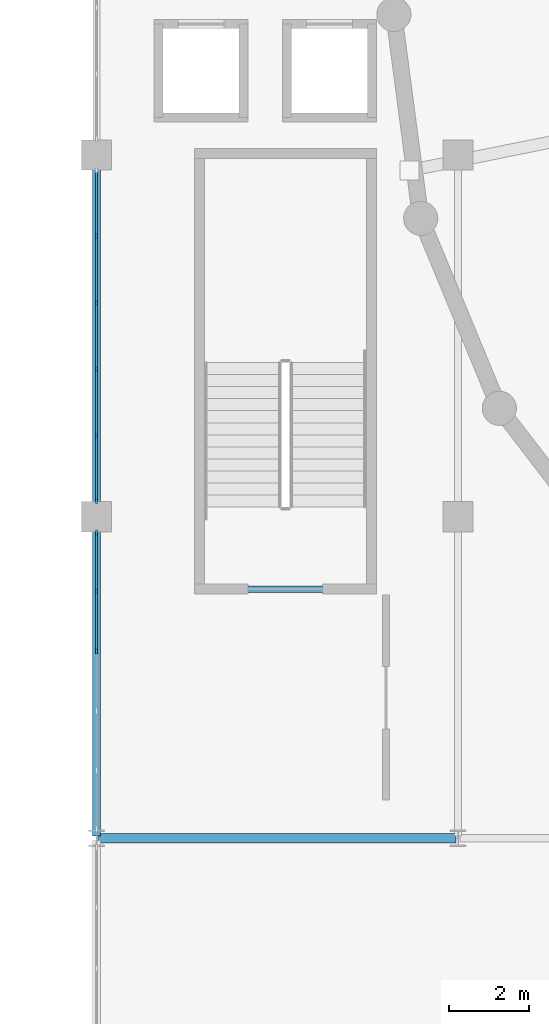
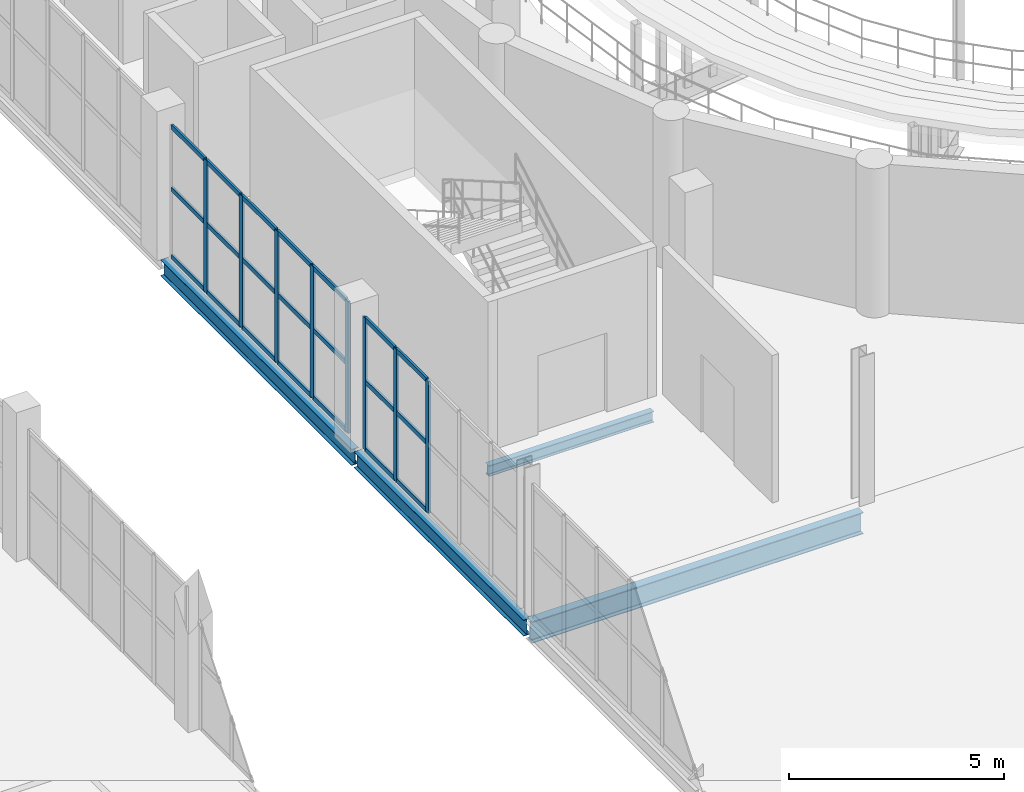
# One storey, part 24 of 85: 29 members, 4 beams, 2 elements without a shape of their own.
"""IFC4 building model written with IfcOpenShell, lengths in metres."""

from ifc_helpers import new_model, si_unit, direction, frame, origin, origin_2d, place, context, subcontext, project, spatial, rectangle, i_section, extrude, material, layer, layer_set, material_profile, profile_set, type_object, element, aggregate, save


model = new_model("IFC4")

# Units and contexts
model_context = context("Model", 3, precision=1e-05, world=origin(), true_north=direction((0.0, 1.0)))
body_context = subcontext(model_context, "Body", "Model", "MODEL_VIEW")
ifc_project = project(units=[si_unit("LENGTHUNIT", "METRE"), si_unit("AREAUNIT", "SQUARE_METRE"), si_unit("VOLUMEUNIT", "CUBIC_METRE"), si_unit("PLANEANGLEUNIT", "RADIAN"), si_unit("MASSUNIT", "GRAM", prefix="KILO")], contexts=[model_context])

# Site, building, storey
site_placement = place(None, origin())
site = spatial("IfcSite", under=ifc_project, at=site_placement, CompositionType="ELEMENT")
building_placement = place(site_placement, origin())
building = spatial("IfcBuilding", under=site, at=building_placement, Name="Marnock Terrace Opera House", CompositionType="ELEMENT")
storey_placement = place(building_placement, frame((0.0, 0.0, 10.199951171875)))
storey = spatial("IfcBuildingStorey", under=building, at=storey_placement, Name="L02", CompositionType="ELEMENT", Elevation=10.199951171875)

# Beams
ifc_material_1 = material(Name="Steel Grade 350 (AS/NZS 3679.1)", Category="steel")
ifc_material_profile_1 = material_profile(ifc_material_1, i_section(OverallWidth=0.18994140625, OverallDepth=0.45751953125, WebThickness=0.009033203125, FlangeThickness=0.014404296875, FilletRadius=0.011474609375, at=origin_2d()))
ifc_profile_set_1 = profile_set([ifc_material_profile_1], Name="Steel Grade 350 (AS/NZS 3679.1)")
beam_type_1 = type_object("IfcBeamType", Name="BM-GIRD-460B", PredefinedType="BEAM", material=ifc_profile_set_1)
beam_1_placement = place(storey_placement, frame((55.0, 40.050048828125, -0.48876953125), z_axis=(0.0, 1.0, 0.0), x_axis=(-1.0, 0.0, 0.0)))
element("IfcBeam", 1, at=beam_1_placement, inside=storey, type_object=beam_type_1, Name="L02 girder (X=55.0, 40.0..48.0)", PredefinedType="BEAM", context=body_context, shape_type="SweptSolid", body=[
    extrude(i_section(OverallWidth=0.18994140625, OverallDepth=0.45751953125, WebThickness=0.009033203125, FlangeThickness=0.014404296875, FilletRadius=0.011474609375, at=origin_2d()), origin(), (0.0, 0.0, 1.0), 7.89990234375),
])
beam_2_placement = place(storey_placement, frame((55.0, 48.050048828125, -0.48876953125), z_axis=(0.0, 1.0, 0.0), x_axis=(-1.0, 0.0, 0.0)))
element("IfcBeam", 2, at=beam_2_placement, inside=storey, type_object=beam_type_1, Name="L02 girder (X=55.0, 48.0..57.0)", PredefinedType="BEAM", context=body_context, shape_type="SweptSolid", body=[
    extrude(i_section(OverallWidth=0.18994140625, OverallDepth=0.45751953125, WebThickness=0.009033203125, FlangeThickness=0.014404296875, FilletRadius=0.011474609375, at=origin_2d()), origin(), (0.0, 0.0, 1.0), 8.89990234375),
])
ifc_material_profile_2 = material_profile(ifc_material_1, i_section(OverallWidth=0.22900390625, OverallDepth=0.611572265625, WebThickness=0.011962890625, FlangeThickness=0.01953125, FilletRadius=0.013916015625, at=origin_2d()))
ifc_profile_set_2 = profile_set([ifc_material_profile_2], Name="Steel Grade 350 (AS/NZS 3679.1)")
beam_type_2 = type_object("IfcBeamType", Name="BM-GIRD-610A", PredefinedType="BEAM", material=ifc_profile_set_2)
beam_3_placement = place(storey_placement, frame((55.050048828125, 40.0, -0.565673828125), z_axis=(1.0, 0.0, 0.0), x_axis=(0.0, 1.0, 0.0)))
element("IfcBeam", 3, at=beam_3_placement, inside=storey, type_object=beam_type_2, Name="L02 girder (55.0..64.0, Y=40.0)", PredefinedType="BEAM", context=body_context, shape_type="SweptSolid", body=[
    extrude(i_section(OverallWidth=0.22900390625, OverallDepth=0.611572265625, WebThickness=0.011962890625, FlangeThickness=0.01953125, FilletRadius=0.013916015625, at=origin_2d()), origin(), (0.0, 0.0, 1.0), 8.89990234375),
])
ifc_material_profile_3 = material_profile(ifc_material_1, i_section(OverallWidth=0.166015625, OverallDepth=0.30712890625, WebThickness=0.006591796875, FlangeThickness=0.01171875, FilletRadius=0.011474609375, at=origin_2d()))
ifc_profile_set_3 = profile_set([ifc_material_profile_3], Name="Steel Grade 350 (AS/NZS 3679.1)")
beam_type_3 = type_object("IfcBeamType", Name="BM-LINT-310", PredefinedType="LINTEL", material=ifc_profile_set_3)
beam_4_placement = place(storey_placement, frame((57.47998046875, 46.199951171875, -0.60986328125), z_axis=(1.0, 0.0, 0.0), x_axis=(0.0, 1.0, 0.0)))
element("IfcBeam", 4, at=beam_4_placement, inside=storey, type_object=beam_type_3, Name="L01 Core C1 coupling lintel", PredefinedType="LINTEL", context=body_context, shape_type="SweptSolid", body=[
    extrude(i_section(OverallWidth=0.166015625, OverallDepth=0.30712890625, WebThickness=0.006591796875, FlangeThickness=0.01171875, FilletRadius=0.011474609375, at=origin_2d()), origin(), (0.0, 0.0, 1.0), 4.43994140625),
])

# Curtain wall, members
ifc_material_2 = material(Name="Anodised architectural bronze aluminium framing", Category="aluminium")
ifc_layer_1 = layer(ifc_material_2, 0.159912109375)
ifc_layer_set_1 = layer_set([ifc_layer_1], Name="Anodised architectural bronze aluminium framing")
curtain_wall_type_1 = type_object("IfcCurtainWallType", Name="CW-FOYER-80x42", PredefinedType="NOTDEFINED", material=ifc_layer_set_1)
curtain_wall_1_placement = place(storey_placement, origin())
curtain_wall_1 = element("IfcCurtainWall", 5, at=curtain_wall_1_placement, inside=storey, type_object=curtain_wall_type_1, Name="L02 glazed Beaux-Arts colonnade curtain wall CW-V1W-L02-05", PredefinedType="NOTDEFINED")
ifc_material_profile_4 = material_profile(ifc_material_2, rectangle(XDim=0.06005859375, YDim=0.14990234375, at=origin_2d()))
ifc_profile_set_4 = profile_set([ifc_material_profile_4], Name="Anodised architectural bronze aluminium framing")
member_type_1 = type_object("IfcMemberType", Name="CWM-60x150", PredefinedType="MULLION", material=ifc_profile_set_4)
member_1_placement = place(storey_placement, frame((55.0, 44.65576171875, 0.0), z_axis=(0.0, 0.0, 1.0), x_axis=(-1.0, 0.0, 0.0)))
member_1 = element("IfcMember", 6, at=member_1_placement, type_object=member_type_1, Name="CW-62 mullion 4", PredefinedType="MULLION", context=body_context, shape_type="SweptSolid", body=[
    extrude(rectangle(XDim=0.06005859375, YDim=0.14990234375, at=origin_2d()), origin(), (0.0, 0.0, 1.0), 3.752685546875),
])
member_2_placement = place(storey_placement, frame((55.0, 46.142333984375, 0.0), z_axis=(0.0, 0.0, 1.0), x_axis=(-1.0, 0.0, 0.0)))
member_2 = element("IfcMember", 7, at=member_2_placement, type_object=member_type_1, Name="CW-62 mullion 5", PredefinedType="MULLION", context=body_context, shape_type="SweptSolid", body=[
    extrude(rectangle(XDim=0.06005859375, YDim=0.14990234375, at=origin_2d()), origin(), (0.0, 0.0, 1.0), 3.752685546875),
])
member_3_placement = place(storey_placement, frame((55.0, 47.59912109375, 0.0), z_axis=(0.0, 0.0, 1.0), x_axis=(-1.0, 0.0, 0.0)))
member_3 = element("IfcMember", 8, at=member_3_placement, type_object=member_type_1, Name="CW-62 mullion 6", PredefinedType="MULLION", context=body_context, shape_type="SweptSolid", body=[
    extrude(rectangle(XDim=0.06005859375, YDim=0.14990234375, at=origin_2d()), origin(), (0.0, 0.0, 1.0), 3.752685546875),
])

ifc_layer_2 = layer(ifc_material_2, 0.159912109375)
ifc_layer_set_2 = layer_set([ifc_layer_2], Name="Anodised architectural bronze aluminium framing")
curtain_wall_type_2 = type_object("IfcCurtainWallType", Name="CW-FOYER-90x42", PredefinedType="NOTDEFINED", material=ifc_layer_set_2)
curtain_wall_2_placement = place(storey_placement, origin())
curtain_wall_2 = element("IfcCurtainWall", 9, at=curtain_wall_2_placement, inside=storey, type_object=curtain_wall_type_2, Name="L02 glazed Beaux-Arts colonnade curtain wall CW-V1W-L02-06", PredefinedType="NOTDEFINED")
member_4_placement = place(storey_placement, frame((55.0, 48.40087890625, 0.0), z_axis=(0.0, 0.0, 1.0), x_axis=(-1.0, 0.0, 0.0)))
member_4 = element("IfcMember", 10, at=member_4_placement, type_object=member_type_1, Name="CW-68 mullion 1", PredefinedType="MULLION", context=body_context, shape_type="SweptSolid", body=[
    extrude(rectangle(XDim=0.06005859375, YDim=0.14990234375, at=origin_2d()), origin(), (0.0, 0.0, 1.0), 3.752685546875),
])
member_5_placement = place(storey_placement, frame((55.0, 50.022705078125, 0.0), z_axis=(0.0, 0.0, 1.0), x_axis=(-1.0, 0.0, 0.0)))
member_5 = element("IfcMember", 11, at=member_5_placement, type_object=member_type_1, Name="CW-68 mullion 2", PredefinedType="MULLION", context=body_context, shape_type="SweptSolid", body=[
    extrude(rectangle(XDim=0.06005859375, YDim=0.14990234375, at=origin_2d()), origin(), (0.0, 0.0, 1.0), 3.752685546875),
])
member_6_placement = place(storey_placement, frame((55.0, 51.67431640625, 0.0), z_axis=(0.0, 0.0, 1.0), x_axis=(-1.0, 0.0, 0.0)))
member_6 = element("IfcMember", 12, at=member_6_placement, type_object=member_type_1, Name="CW-68 mullion 3", PredefinedType="MULLION", context=body_context, shape_type="SweptSolid", body=[
    extrude(rectangle(XDim=0.06005859375, YDim=0.14990234375, at=origin_2d()), origin(), (0.0, 0.0, 1.0), 3.752685546875),
])
member_7_placement = place(storey_placement, frame((55.0, 53.32568359375, 0.0), z_axis=(0.0, 0.0, 1.0), x_axis=(-1.0, 0.0, 0.0)))
member_7 = element("IfcMember", 13, at=member_7_placement, type_object=member_type_1, Name="CW-68 mullion 4", PredefinedType="MULLION", context=body_context, shape_type="SweptSolid", body=[
    extrude(rectangle(XDim=0.06005859375, YDim=0.14990234375, at=origin_2d()), origin(), (0.0, 0.0, 1.0), 3.752685546875),
])
member_8_placement = place(storey_placement, frame((55.0, 54.977294921875, 0.0), z_axis=(0.0, 0.0, 1.0), x_axis=(-1.0, 0.0, 0.0)))
member_8 = element("IfcMember", 14, at=member_8_placement, type_object=member_type_1, Name="CW-68 mullion 5", PredefinedType="MULLION", context=body_context, shape_type="SweptSolid", body=[
    extrude(rectangle(XDim=0.06005859375, YDim=0.14990234375, at=origin_2d()), origin(), (0.0, 0.0, 1.0), 3.752685546875),
])

# Member
ifc_material_profile_5 = material_profile(ifc_material_2, rectangle(XDim=0.06005859375, YDim=0.1298828125, at=origin_2d()))
ifc_profile_set_5 = profile_set([ifc_material_profile_5], Name="Anodised architectural bronze aluminium framing")
member_type_2 = type_object("IfcMemberType", Name="CWT-60x130", PredefinedType="USERDEFINED", material=ifc_profile_set_5)
member_9_placement = place(storey_placement, frame((55.0, 44.685791015625, 0.030029296875), z_axis=(0.0, 1.0, 0.0), x_axis=(-1.0, 0.0, 0.0)))
member_9 = element("IfcMember", 15, at=member_9_placement, type_object=member_type_2, Name="CW-62 transom 4.1", ObjectType="TRANSOM", PredefinedType="USERDEFINED", context=body_context, shape_type="SweptSolid", body=[
    extrude(rectangle(XDim=0.06005859375, YDim=0.1298828125, at=origin_2d()), origin(), (0.0, 0.0, 1.0), 1.426513671875),
])

member_10_placement = place(storey_placement, frame((55.0, 44.685791015625, 1.951416015625), z_axis=(0.0, 1.0, 0.0), x_axis=(-1.0, 0.0, 0.0)))
member_10 = element("IfcMember", 16, at=member_10_placement, type_object=member_type_2, Name="CW-62 transom 4.2", ObjectType="TRANSOM", PredefinedType="USERDEFINED", context=body_context, shape_type="SweptSolid", body=[
    extrude(rectangle(XDim=0.06005859375, YDim=0.1298828125, at=origin_2d()), origin(), (0.0, 0.0, 1.0), 1.426513671875),
])

member_11_placement = place(storey_placement, frame((55.0, 44.685791015625, 3.72265625), z_axis=(0.0, 1.0, 0.0), x_axis=(-1.0, 0.0, 0.0)))
member_11 = element("IfcMember", 17, at=member_11_placement, type_object=member_type_2, Name="CW-62 transom 4.3", ObjectType="TRANSOM", PredefinedType="USERDEFINED", context=body_context, shape_type="SweptSolid", body=[
    extrude(rectangle(XDim=0.06005859375, YDim=0.1298828125, at=origin_2d()), origin(), (0.0, 0.0, 1.0), 1.426513671875),
])

member_12_placement = place(storey_placement, frame((55.0, 46.17236328125, 0.030029296875), z_axis=(0.0, 1.0, 0.0), x_axis=(-1.0, 0.0, 0.0)))
member_12 = element("IfcMember", 18, at=member_12_placement, type_object=member_type_2, Name="CW-62 transom 5.1", ObjectType="TRANSOM", PredefinedType="USERDEFINED", context=body_context, shape_type="SweptSolid", body=[
    extrude(rectangle(XDim=0.06005859375, YDim=0.1298828125, at=origin_2d()), origin(), (0.0, 0.0, 1.0), 1.396728515625),
])

member_13_placement = place(storey_placement, frame((55.0, 46.17236328125, 1.951416015625), z_axis=(0.0, 1.0, 0.0), x_axis=(-1.0, 0.0, 0.0)))
member_13 = element("IfcMember", 19, at=member_13_placement, type_object=member_type_2, Name="CW-62 transom 5.2", ObjectType="TRANSOM", PredefinedType="USERDEFINED", context=body_context, shape_type="SweptSolid", body=[
    extrude(rectangle(XDim=0.06005859375, YDim=0.1298828125, at=origin_2d()), origin(), (0.0, 0.0, 1.0), 1.396728515625),
])

member_14_placement = place(storey_placement, frame((55.0, 46.17236328125, 3.72265625), z_axis=(0.0, 1.0, 0.0), x_axis=(-1.0, 0.0, 0.0)))
member_14 = element("IfcMember", 20, at=member_14_placement, type_object=member_type_2, Name="CW-62 transom 5.3", ObjectType="TRANSOM", PredefinedType="USERDEFINED", context=body_context, shape_type="SweptSolid", body=[
    extrude(rectangle(XDim=0.06005859375, YDim=0.1298828125, at=origin_2d()), origin(), (0.0, 0.0, 1.0), 1.396728515625),
])

aggregate(curtain_wall_1, [member_1, member_2, member_3, member_9, member_10, member_11, member_12, member_13, member_14])

member_15_placement = place(storey_placement, frame((55.0, 48.430908203125, 0.030029296875), z_axis=(0.0, 1.0, 0.0), x_axis=(-1.0, 0.0, 0.0)))
member_15 = element("IfcMember", 21, at=member_15_placement, type_object=member_type_2, Name="CW-68 transom 1.1", ObjectType="TRANSOM", PredefinedType="USERDEFINED", context=body_context, shape_type="SweptSolid", body=[
    extrude(rectangle(XDim=0.06005859375, YDim=0.1298828125, at=origin_2d()), origin(), (0.0, 0.0, 1.0), 1.561767578125),
])

member_16_placement = place(storey_placement, frame((55.0, 48.430908203125, 1.951416015625), z_axis=(0.0, 1.0, 0.0), x_axis=(-1.0, 0.0, 0.0)))
member_16 = element("IfcMember", 22, at=member_16_placement, type_object=member_type_2, Name="CW-68 transom 1.2", ObjectType="TRANSOM", PredefinedType="USERDEFINED", context=body_context, shape_type="SweptSolid", body=[
    extrude(rectangle(XDim=0.06005859375, YDim=0.1298828125, at=origin_2d()), origin(), (0.0, 0.0, 1.0), 1.561767578125),
])

member_17_placement = place(storey_placement, frame((55.0, 48.430908203125, 3.72265625), z_axis=(0.0, 1.0, 0.0), x_axis=(-1.0, 0.0, 0.0)))
member_17 = element("IfcMember", 23, at=member_17_placement, type_object=member_type_2, Name="CW-68 transom 1.3", ObjectType="TRANSOM", PredefinedType="USERDEFINED", context=body_context, shape_type="SweptSolid", body=[
    extrude(rectangle(XDim=0.06005859375, YDim=0.1298828125, at=origin_2d()), origin(), (0.0, 0.0, 1.0), 1.561767578125),
])

member_18_placement = place(storey_placement, frame((55.0, 50.052490234375, 0.030029296875), z_axis=(0.0, 1.0, 0.0), x_axis=(-1.0, 0.0, 0.0)))
member_18 = element("IfcMember", 24, at=member_18_placement, type_object=member_type_2, Name="CW-68 transom 2.1", ObjectType="TRANSOM", PredefinedType="USERDEFINED", context=body_context, shape_type="SweptSolid", body=[
    extrude(rectangle(XDim=0.06005859375, YDim=0.1298828125, at=origin_2d()), origin(), (0.0, 0.0, 1.0), 1.591796875),
])

member_19_placement = place(storey_placement, frame((55.0, 50.052490234375, 1.951416015625), z_axis=(0.0, 1.0, 0.0), x_axis=(-1.0, 0.0, 0.0)))
member_19 = element("IfcMember", 25, at=member_19_placement, type_object=member_type_2, Name="CW-68 transom 2.2", ObjectType="TRANSOM", PredefinedType="USERDEFINED", context=body_context, shape_type="SweptSolid", body=[
    extrude(rectangle(XDim=0.06005859375, YDim=0.1298828125, at=origin_2d()), origin(), (0.0, 0.0, 1.0), 1.591796875),
])

member_20_placement = place(storey_placement, frame((55.0, 50.052490234375, 3.72265625), z_axis=(0.0, 1.0, 0.0), x_axis=(-1.0, 0.0, 0.0)))
member_20 = element("IfcMember", 26, at=member_20_placement, type_object=member_type_2, Name="CW-68 transom 2.3", ObjectType="TRANSOM", PredefinedType="USERDEFINED", context=body_context, shape_type="SweptSolid", body=[
    extrude(rectangle(XDim=0.06005859375, YDim=0.1298828125, at=origin_2d()), origin(), (0.0, 0.0, 1.0), 1.591796875),
])

member_21_placement = place(storey_placement, frame((55.0, 51.7041015625, 0.030029296875), z_axis=(0.0, 1.0, 0.0), x_axis=(-1.0, 0.0, 0.0)))
member_21 = element("IfcMember", 27, at=member_21_placement, type_object=member_type_2, Name="CW-68 transom 3.1", ObjectType="TRANSOM", PredefinedType="USERDEFINED", context=body_context, shape_type="SweptSolid", body=[
    extrude(rectangle(XDim=0.06005859375, YDim=0.1298828125, at=origin_2d()), origin(), (0.0, 0.0, 1.0), 1.591796875),
])

member_22_placement = place(storey_placement, frame((55.0, 51.7041015625, 1.951416015625), z_axis=(0.0, 1.0, 0.0), x_axis=(-1.0, 0.0, 0.0)))
member_22 = element("IfcMember", 28, at=member_22_placement, type_object=member_type_2, Name="CW-68 transom 3.2", ObjectType="TRANSOM", PredefinedType="USERDEFINED", context=body_context, shape_type="SweptSolid", body=[
    extrude(rectangle(XDim=0.06005859375, YDim=0.1298828125, at=origin_2d()), origin(), (0.0, 0.0, 1.0), 1.591796875),
])

member_23_placement = place(storey_placement, frame((55.0, 51.7041015625, 3.72265625), z_axis=(0.0, 1.0, 0.0), x_axis=(-1.0, 0.0, 0.0)))
member_23 = element("IfcMember", 29, at=member_23_placement, type_object=member_type_2, Name="CW-68 transom 3.3", ObjectType="TRANSOM", PredefinedType="USERDEFINED", context=body_context, shape_type="SweptSolid", body=[
    extrude(rectangle(XDim=0.06005859375, YDim=0.1298828125, at=origin_2d()), origin(), (0.0, 0.0, 1.0), 1.591796875),
])

member_24_placement = place(storey_placement, frame((55.0, 53.355712890625, 0.030029296875), z_axis=(0.0, 1.0, 0.0), x_axis=(-1.0, 0.0, 0.0)))
member_24 = element("IfcMember", 30, at=member_24_placement, type_object=member_type_2, Name="CW-68 transom 4.1", ObjectType="TRANSOM", PredefinedType="USERDEFINED", context=body_context, shape_type="SweptSolid", body=[
    extrude(rectangle(XDim=0.06005859375, YDim=0.1298828125, at=origin_2d()), origin(), (0.0, 0.0, 1.0), 1.591796875),
])

member_25_placement = place(storey_placement, frame((55.0, 53.355712890625, 1.951416015625), z_axis=(0.0, 1.0, 0.0), x_axis=(-1.0, 0.0, 0.0)))
member_25 = element("IfcMember", 31, at=member_25_placement, type_object=member_type_2, Name="CW-68 transom 4.2", ObjectType="TRANSOM", PredefinedType="USERDEFINED", context=body_context, shape_type="SweptSolid", body=[
    extrude(rectangle(XDim=0.06005859375, YDim=0.1298828125, at=origin_2d()), origin(), (0.0, 0.0, 1.0), 1.591796875),
])

member_26_placement = place(storey_placement, frame((55.0, 53.355712890625, 3.72265625), z_axis=(0.0, 1.0, 0.0), x_axis=(-1.0, 0.0, 0.0)))
member_26 = element("IfcMember", 32, at=member_26_placement, type_object=member_type_2, Name="CW-68 transom 4.3", ObjectType="TRANSOM", PredefinedType="USERDEFINED", context=body_context, shape_type="SweptSolid", body=[
    extrude(rectangle(XDim=0.06005859375, YDim=0.1298828125, at=origin_2d()), origin(), (0.0, 0.0, 1.0), 1.591796875),
])

member_27_placement = place(storey_placement, frame((55.0, 55.00732421875, 0.030029296875), z_axis=(0.0, 1.0, 0.0), x_axis=(-1.0, 0.0, 0.0)))
member_27 = element("IfcMember", 33, at=member_27_placement, type_object=member_type_2, Name="CW-68 transom 5.1", ObjectType="TRANSOM", PredefinedType="USERDEFINED", context=body_context, shape_type="SweptSolid", body=[
    extrude(rectangle(XDim=0.06005859375, YDim=0.1298828125, at=origin_2d()), origin(), (0.0, 0.0, 1.0), 1.561767578125),
])

member_28_placement = place(storey_placement, frame((55.0, 55.00732421875, 1.951416015625), z_axis=(0.0, 1.0, 0.0), x_axis=(-1.0, 0.0, 0.0)))
member_28 = element("IfcMember", 34, at=member_28_placement, type_object=member_type_2, Name="CW-68 transom 5.2", ObjectType="TRANSOM", PredefinedType="USERDEFINED", context=body_context, shape_type="SweptSolid", body=[
    extrude(rectangle(XDim=0.06005859375, YDim=0.1298828125, at=origin_2d()), origin(), (0.0, 0.0, 1.0), 1.561767578125),
])

member_29_placement = place(storey_placement, frame((55.0, 55.00732421875, 3.72265625), z_axis=(0.0, 1.0, 0.0), x_axis=(-1.0, 0.0, 0.0)))
member_29 = element("IfcMember", 35, at=member_29_placement, type_object=member_type_2, Name="CW-68 transom 5.3", ObjectType="TRANSOM", PredefinedType="USERDEFINED", context=body_context, shape_type="SweptSolid", body=[
    extrude(rectangle(XDim=0.06005859375, YDim=0.1298828125, at=origin_2d()), origin(), (0.0, 0.0, 1.0), 1.561767578125),
])

aggregate(curtain_wall_2, [member_4, member_5, member_6, member_7, member_8, member_15, member_16, member_17, member_18, member_19, member_20, member_21, member_22, member_23, member_24, member_25, member_26, member_27, member_28, member_29])

save(model, "model.ifc")
